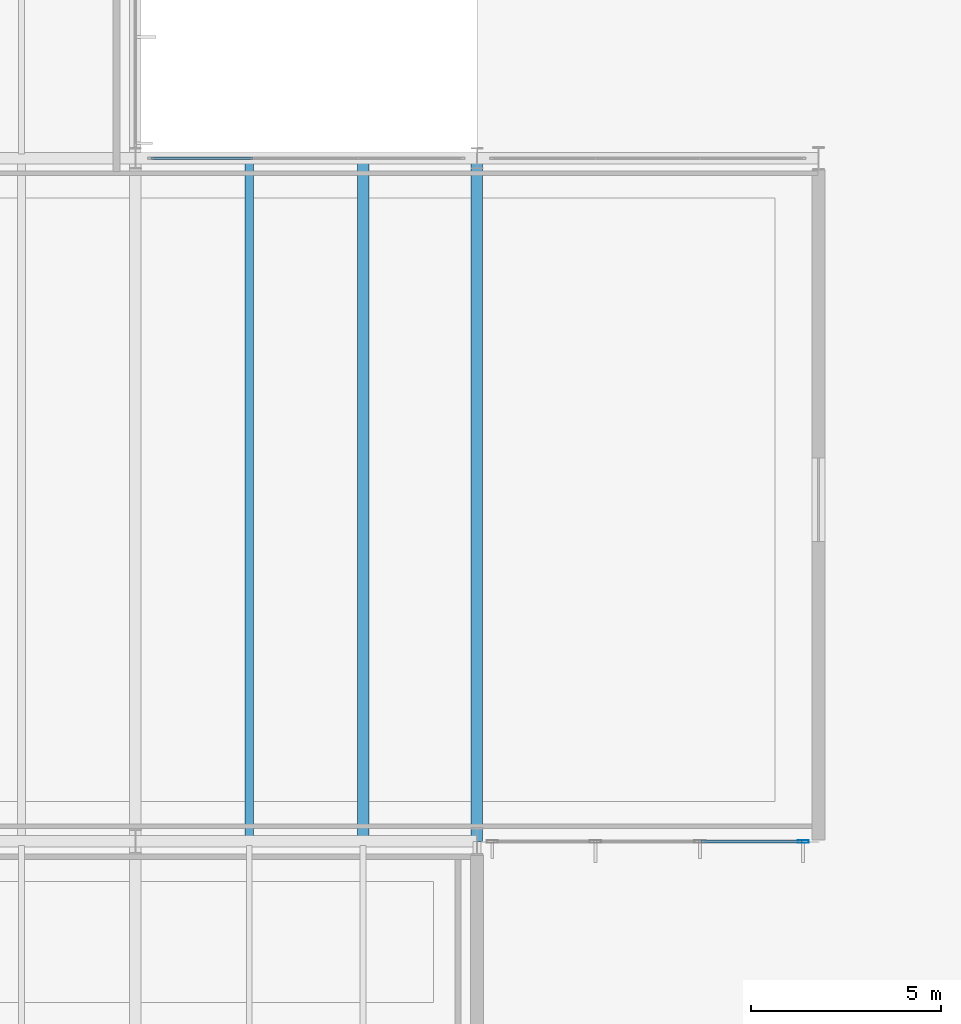
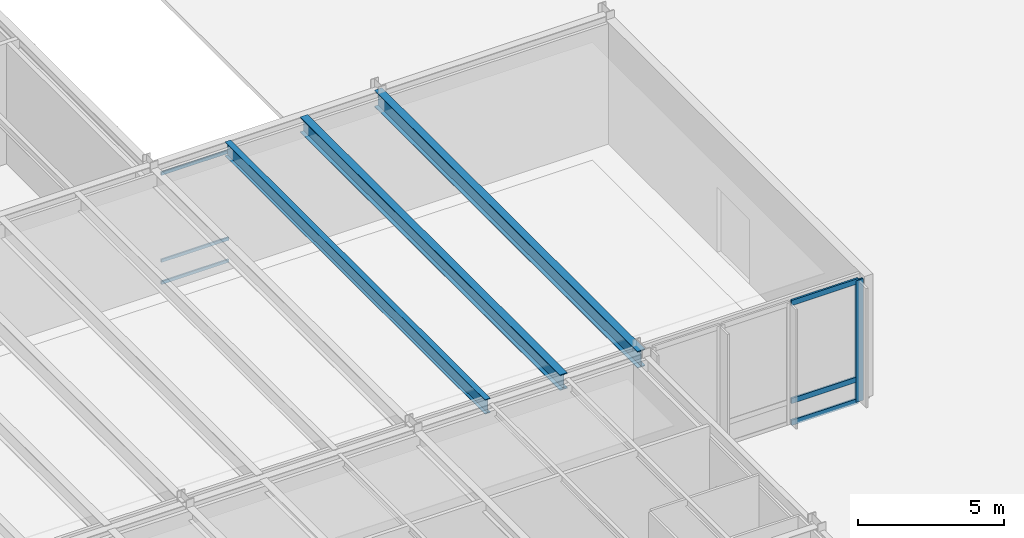
# One storey, part 95 of 143: 7 members, 3 beams, 2 elements without a shape of their own.
"""IFC4 building model written with IfcOpenShell, lengths in metres."""

from ifc_helpers import new_model, si_unit, direction, frame, origin, origin_2d, place, context, subcontext, project, spatial, hollow_rectangle, i_section, extrude, material, layer, layer_set, material_profile, profile_set, type_object, element, aggregate, save


model = new_model("IFC4")

# Units and contexts
model_context = context("Model", 3, precision=1e-05, world=origin(), true_north=direction((0.0, 1.0)))
body_context = subcontext(model_context, "Body", "Model", "MODEL_VIEW")
ifc_project = project(units=[si_unit("LENGTHUNIT", "METRE"), si_unit("AREAUNIT", "SQUARE_METRE"), si_unit("VOLUMEUNIT", "CUBIC_METRE"), si_unit("PLANEANGLEUNIT", "RADIAN"), si_unit("MASSUNIT", "GRAM", prefix="KILO")], contexts=[model_context])

# Site, building, storey
site_placement = place(None, origin())
site = spatial("IfcSite", under=ifc_project, at=site_placement, CompositionType="ELEMENT")
building_placement = place(site_placement, origin())
building = spatial("IfcBuilding", under=site, at=building_placement, Name="Montelvaro Courts of Justice", CompositionType="ELEMENT")
storey_placement = place(building_placement, origin())
storey = spatial("IfcBuildingStorey", under=building, at=storey_placement, Name="L00", CompositionType="ELEMENT", Elevation=0.0)

# Beams
ifc_material_1 = material(Name="Steel S355", Category="steel")
ifc_material_profile_1 = material_profile(ifc_material_1, i_section(OverallWidth=0.300048828125, OverallDepth=0.64990234375, WebThickness=0.01611328125, FlangeThickness=0.031005859375, at=origin_2d()), Name="HEB 650")
ifc_profile_set_1 = profile_set([ifc_material_profile_1], Name="Steel S355")
beam_type_1 = type_object("IfcBeamType", Name="Beam_HEB650", PredefinedType="USERDEFINED", material=ifc_profile_set_1)
beam_1_placement = place(storey_placement, frame((132.0, 24.110107421875, 4.794921875), z_axis=(0.0, 1.0, 0.0), x_axis=(-1.0, 0.0, 0.0)))
element("IfcBeam", 1, at=beam_1_placement, inside=storey, type_object=beam_type_1, Name="Beam B-27 L00", ObjectType="GIRDER", PredefinedType="USERDEFINED", context=body_context, shape_type="SweptSolid", body=[
    extrude(i_section(OverallWidth=0.300048828125, OverallDepth=0.64990234375, WebThickness=0.01611328125, FlangeThickness=0.031005859375, at=origin_2d()), origin(), (0.0, 0.0, 1.0), 17.77978515625),
])
ifc_material_profile_2 = material_profile(ifc_material_1, i_section(OverallWidth=0.300048828125, OverallDepth=0.699951171875, WebThickness=0.01708984375, FlangeThickness=0.031982421875, at=origin_2d()), Name="HEB 700")
ifc_profile_set_2 = profile_set([ifc_material_profile_2], Name="Steel S355")
beam_type_2 = type_object("IfcBeamType", Name="Beam_HEB700", PredefinedType="USERDEFINED", material=ifc_profile_set_2)
beam_2_placement = place(storey_placement, frame((135.0, 24.0, 4.77001953125), z_axis=(0.0, 1.0, 0.0), x_axis=(-1.0, 0.0, 0.0)))
element("IfcBeam", 2, at=beam_2_placement, inside=storey, type_object=beam_type_2, Name="Beam B-28 L00", ObjectType="GIRDER", PredefinedType="USERDEFINED", context=body_context, shape_type="SweptSolid", body=[
    extrude(i_section(OverallWidth=0.300048828125, OverallDepth=0.699951171875, WebThickness=0.01708984375, FlangeThickness=0.031982421875, at=origin_2d()), origin(), (0.0, 0.0, 1.0), 18.0),
])
ifc_material_profile_3 = material_profile(ifc_material_1, i_section(OverallWidth=0.219970703125, OverallDepth=0.60009765625, WebThickness=0.011962890625, FlangeThickness=0.01904296875, at=origin_2d()), Name="IPE 600")
ifc_profile_set_3 = profile_set([ifc_material_profile_3], Name="Steel S355")
beam_type_3 = type_object("IfcBeamType", Name="Beam_IPE600", PredefinedType="USERDEFINED", material=ifc_profile_set_3)
beam_3_placement = place(storey_placement, frame((129.0, 24.110107421875, 4.820068359375), z_axis=(0.0, 1.0, 0.0), x_axis=(-1.0, 0.0, 0.0)))
element("IfcBeam", 3, at=beam_3_placement, inside=storey, type_object=beam_type_3, Name="Beam B-12 L00", ObjectType="GIRDER", PredefinedType="USERDEFINED", context=body_context, shape_type="SweptSolid", body=[
    extrude(i_section(OverallWidth=0.219970703125, OverallDepth=0.60009765625, WebThickness=0.011962890625, FlangeThickness=0.01904296875, at=origin_2d()), origin(), (0.0, 0.0, 1.0), 17.77978515625),
])

# Curtain wall, member
ifc_material_2 = material(Name="Anodised aluminium EN AW-6063", Category="aluminium")
ifc_layer = layer(ifc_material_2, 0.159912109375)
ifc_layer_set = layer_set([ifc_layer], Name="Anodised aluminium EN AW-6063")
curtain_wall_type = type_object("IfcCurtainWallType", Name="CurtainWall_01_827x508", PredefinedType="USERDEFINED", material=ifc_layer_set)
curtain_wall_1_placement = place(storey_placement, origin())
curtain_wall_1 = element("IfcCurtainWall", 4, at=curtain_wall_1_placement, inside=storey, type_object=curtain_wall_type, Name="Curtain Wall CW-01 (L00)", ObjectType="CURTAIN WALL", PredefinedType="USERDEFINED")
ifc_material_profile_4 = material_profile(ifc_material_2, hollow_rectangle(XDim=0.074951171875, YDim=0.300048828125, WallThickness=0.006103515625, at=origin_2d()), Name="ALU-M 75x300")
ifc_profile_set_4 = profile_set([ifc_material_profile_4], Name="Anodised aluminium EN AW-6063")
member_type_1 = type_object("IfcMemberType", Name="CurtainWall_Mullion_75x300", PredefinedType="MULLION", material=ifc_profile_set_4)
member_1_placement = place(storey_placement, frame((143.597412109375, 24.0, 0.0), z_axis=(0.0, 0.0, 1.0), x_axis=(0.0, 1.0, 0.0)))
member_1 = element("IfcMember", 5, at=member_1_placement, type_object=member_type_1, Name="CW-01 mullion 4", PredefinedType="MULLION", context=body_context, shape_type="SweptSolid", body=[
    extrude(hollow_rectangle(XDim=0.074951171875, YDim=0.300048828125, WallThickness=0.006103515625, at=origin_2d()), origin(), (0.0, 0.0, 1.0), 5.080078125),
])

# Curtain wall, members
curtain_wall_2_placement = place(storey_placement, origin())
curtain_wall_2 = element("IfcCurtainWall", 6, at=curtain_wall_2_placement, inside=storey, type_object=curtain_wall_type, Name="Curtain Wall CW-01 (L00)", ObjectType="CURTAIN WALL", PredefinedType="USERDEFINED")
ifc_material_profile_5 = material_profile(ifc_material_2, hollow_rectangle(XDim=0.06005859375, YDim=0.1298828125, WallThickness=0.00390625, at=origin_2d()), Name="ALU-T 60x130")
ifc_profile_set_5 = profile_set([ifc_material_profile_5], Name="Anodised aluminium EN AW-6063")
member_type_2 = type_object("IfcMemberType", Name="CurtainWall_Transom_60x130", PredefinedType="USERDEFINED", material=ifc_profile_set_5)
member_2_placement = place(storey_placement, frame((129.091552734375, 42.0, 0.030029296875), z_axis=(-1.0, 0.0, 0.0), x_axis=(0.0, -1.0, 0.0)))
member_2 = element("IfcMember", 7, at=member_2_placement, type_object=member_type_2, Name="CW-01 transom 3.1", ObjectType="TRANSOM", PredefinedType="USERDEFINED", context=body_context, shape_type="SweptSolid", body=[
    extrude(hollow_rectangle(XDim=0.06005859375, YDim=0.1298828125, WallThickness=0.00390625, at=origin_2d()), origin(), (0.0, 0.0, 1.0), 2.66650390625),
])
member_3_placement = place(storey_placement, frame((129.091552734375, 42.0, 0.949951171875), z_axis=(-1.0, 0.0, 0.0), x_axis=(0.0, -1.0, 0.0)))
member_3 = element("IfcMember", 8, at=member_3_placement, type_object=member_type_2, Name="CW-01 transom 3.2", ObjectType="TRANSOM", PredefinedType="USERDEFINED", context=body_context, shape_type="SweptSolid", body=[
    extrude(hollow_rectangle(XDim=0.06005859375, YDim=0.1298828125, WallThickness=0.00390625, at=origin_2d()), origin(), (0.0, 0.0, 1.0), 2.66650390625),
])
member_4_placement = place(storey_placement, frame((129.091552734375, 42.0, 4.5849609375), z_axis=(-1.0, 0.0, 0.0), x_axis=(0.0, -1.0, 0.0)))
member_4 = element("IfcMember", 9, at=member_4_placement, type_object=member_type_2, Name="CW-01 transom 3.3", ObjectType="TRANSOM", PredefinedType="USERDEFINED", context=body_context, shape_type="SweptSolid", body=[
    extrude(hollow_rectangle(XDim=0.06005859375, YDim=0.1298828125, WallThickness=0.00390625, at=origin_2d()), origin(), (0.0, 0.0, 1.0), 2.66650390625),
])
aggregate(curtain_wall_2, [member_2, member_3, member_4])

# Member
ifc_material_profile_6 = material_profile(ifc_material_2, hollow_rectangle(XDim=0.074951171875, YDim=0.219970703125, WallThickness=0.005615234375, at=origin_2d()), Name="ALU-T 75x220")
ifc_profile_set_6 = profile_set([ifc_material_profile_6], Name="Anodised aluminium EN AW-6063")
member_type_3 = type_object("IfcMemberType", Name="CurtainWall_Transom_75x220", PredefinedType="USERDEFINED", material=ifc_profile_set_6)
member_5_placement = place(storey_placement, frame((140.915771484375, 24.0, 0.03759765625), z_axis=(1.0, 0.0, 0.0), x_axis=(0.0, 1.0, 0.0)))
member_5 = element("IfcMember", 10, at=member_5_placement, type_object=member_type_3, Name="CW-01 transom 3.1", ObjectType="TRANSOM", PredefinedType="USERDEFINED", context=body_context, shape_type="SweptSolid", body=[
    extrude(hollow_rectangle(XDim=0.074951171875, YDim=0.219970703125, WallThickness=0.005615234375, at=origin_2d()), origin(), (0.0, 0.0, 1.0), 2.644287109375),
])

member_6_placement = place(storey_placement, frame((140.915771484375, 24.0, 0.949951171875), z_axis=(1.0, 0.0, 0.0), x_axis=(0.0, 1.0, 0.0)))
member_6 = element("IfcMember", 11, at=member_6_placement, type_object=member_type_3, Name="CW-01 transom 3.2", ObjectType="TRANSOM", PredefinedType="USERDEFINED", context=body_context, shape_type="SweptSolid", body=[
    extrude(hollow_rectangle(XDim=0.074951171875, YDim=0.219970703125, WallThickness=0.005615234375, at=origin_2d()), origin(), (0.0, 0.0, 1.0), 2.644287109375),
])

member_7_placement = place(storey_placement, frame((140.915771484375, 24.0, 5.04248046875), z_axis=(1.0, 0.0, 0.0), x_axis=(0.0, 1.0, 0.0)))
member_7 = element("IfcMember", 12, at=member_7_placement, type_object=member_type_3, Name="CW-01 transom 3.3", ObjectType="TRANSOM", PredefinedType="USERDEFINED", context=body_context, shape_type="SweptSolid", body=[
    extrude(hollow_rectangle(XDim=0.074951171875, YDim=0.219970703125, WallThickness=0.005615234375, at=origin_2d()), origin(), (0.0, 0.0, 1.0), 2.644287109375),
])

aggregate(curtain_wall_1, [member_1, member_5, member_6, member_7])

save(model, "model.ifc")
